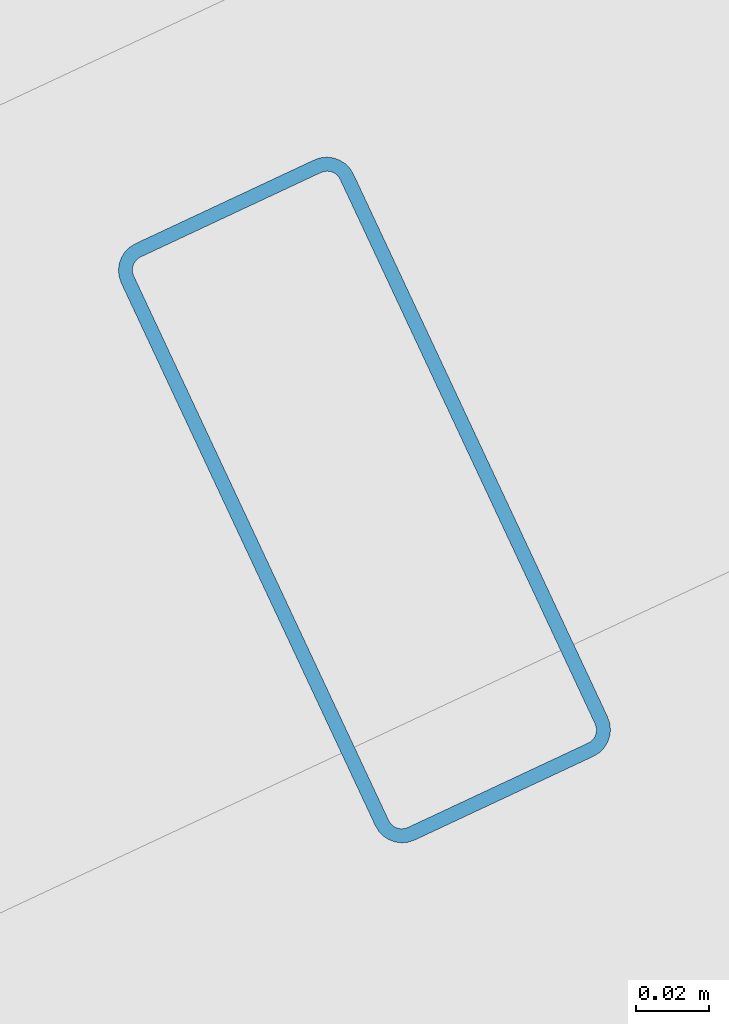
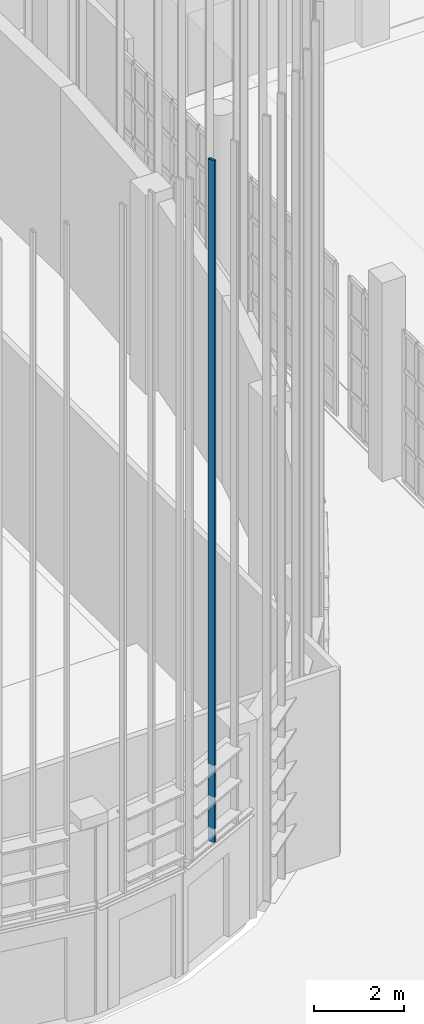
# One storey, part 148 of 372: 1 member.
"""IFC4 building model written with IfcOpenShell, lengths in metres."""

import ifcopenshell
import ifcopenshell.guid

model = None  # the IFC model being written
_history = None  # IfcOwnerHistory: only IFC2X3 demands one
_inside = {}  # id of a spatial element -> (the spatial element, [elements in it])
_under = {}  # id of a project, library or spatial element -> (it, [spatial elements below it])
_declared = {}  # id of a project -> (the project, [libraries it declares])
_typed = {}  # id of a type object -> (the type object, [elements of that type])
_made_of = {}  # id of a material, layer set ... -> (it, [elements and type objects made of it])


def new_model(schema):
    """Start an empty IFC model of exactly this schema.

    Asked for "IFC4X3", IfcOpenShell would pick the latest addendum, in which some entities
    have other attributes; the version numbers below select the first issue.
    IFC2X3 requires an IfcOwnerHistory on every rooted entity: one is made here for all.
    """
    global model, _history
    if schema == "IFC4X3":
        model = ifcopenshell.file(schema_version=(4, 3, 0, 0))
    else:
        model = ifcopenshell.file(schema=schema)
    _inside.clear()
    _under.clear()
    _declared.clear()
    _typed.clear()
    _made_of.clear()
    _history = None
    if model.schema == "IFC2X3":
        org = make("IfcOrganization", Name="unknown")
        user = make(
            "IfcPersonAndOrganization",
            ThePerson=make("IfcPerson", FamilyName="unknown"),
            TheOrganization=org,
        )
        app = make(
            "IfcApplication",
            ApplicationDeveloper=org,
            Version="unknown",
            ApplicationFullName="unknown",
            ApplicationIdentifier="unknown",
        )
        _history = make(
            "IfcOwnerHistory",
            OwningUser=user,
            OwningApplication=app,
            ChangeAction="ADDED",
            CreationDate=0,
        )
    return model


def make(cls, **values):
    """One entity of the class cls with the attributes given. An attribute that is None is left unset."""
    return model.create_entity(
        cls, **{name: value for name, value in values.items() if value is not None}
    )


def rooted(cls, **values):
    """An entity with a GlobalId (a new one), such as an element, a storey or a relation."""
    return make(cls, GlobalId=ifcopenshell.guid.new(), OwnerHistory=_history, **values)


def si_unit(unit_type, name, prefix=None):
    """IfcSIUnit, for example si_unit("LENGTHUNIT", "METRE", prefix="MILLI")."""
    return make("IfcSIUnit", UnitType=unit_type, Prefix=prefix, Name=name)


def assignment(units):
    """IfcUnitAssignment: the units of a project."""
    return None if units is None else make("IfcUnitAssignment", Units=units)


def point(xyz):
    """IfcCartesianPoint."""
    return None if xyz is None else make("IfcCartesianPoint", Coordinates=xyz)


def direction(xyz):
    """IfcDirection."""
    return None if xyz is None else make("IfcDirection", DirectionRatios=xyz)


def frame(location, z_axis=None, x_axis=None):
    """IfcAxis2Placement3D, a coordinate frame: its origin and axes. An axis left out is left unset."""
    return make(
        "IfcAxis2Placement3D",
        Location=point(location),
        Axis=direction(z_axis),
        RefDirection=direction(x_axis),
    )


def frame_2d(location, x_axis=None):
    """IfcAxis2Placement2D, a coordinate frame in the plane: its origin and x axis."""
    return make(
        "IfcAxis2Placement2D", Location=point(location), RefDirection=direction(x_axis)
    )


def origin():
    """The frame at (0, 0, 0) with its axes left unset."""
    return frame((0.0, 0.0, 0.0))


def origin_2d():
    """The frame at (0, 0) in the plane with its x axis left unset."""
    return frame_2d((0.0, 0.0))


def place(relative_to, where):
    """IfcLocalPlacement: puts the frame where relative to a parent placement (None: the world)."""
    return make(
        "IfcLocalPlacement", PlacementRelTo=relative_to, RelativePlacement=where
    )


def context(
    kind, dimensions, precision=None, world=None, true_north=None, identifier=None
):
    """IfcGeometricRepresentationContext, for example the 3D "Model" context."""
    return make(
        "IfcGeometricRepresentationContext",
        ContextIdentifier=identifier,
        ContextType=kind,
        CoordinateSpaceDimension=dimensions,
        Precision=precision,
        WorldCoordinateSystem=world,
        TrueNorth=true_north,
    )


def subcontext(parent, identifier, kind, view, scale=None):
    """IfcGeometricRepresentationSubContext, for example "Body" below "Model"."""
    return make(
        "IfcGeometricRepresentationSubContext",
        ContextIdentifier=identifier,
        ContextType=kind,
        ParentContext=parent,
        TargetScale=scale,
        TargetView=view,
    )


def project(units=None, contexts=None):
    """IfcProject with its units and contexts."""
    return rooted(
        "IfcProject",
        Name="project",
        RepresentationContexts=contexts,
        UnitsInContext=assignment(units),
    )


def spatial(cls, under=None, at=None, **own):
    """A site, building, storey or space (cls), placed at a placement, below another one or the project."""
    s = rooted(cls, ObjectPlacement=at, **own)
    if under is not None:
        _under.setdefault(under.id(), (under, []))[1].append(s)
    return s


def profile(cls, at=None, kind="AREA", **sizes):
    """A parametric profile (cls). Its sizes go by their IFC names, for example OverallWidth=200.0."""
    return make(cls, ProfileType=kind, Position=at, **sizes)


def hollow_rectangle(**sizes):
    """IfcRectangleHollowProfileDef."""
    return profile("IfcRectangleHollowProfileDef", **sizes)


def extrude(swept, where, along, depth):
    """IfcExtrudedAreaSolid: the profile swept, set in the frame where, extruded along a direction by depth."""
    return make(
        "IfcExtrudedAreaSolid",
        SweptArea=swept,
        Position=where,
        ExtrudedDirection=direction(along),
        Depth=depth,
    )


def shape(context_of_items, identifier, shape_type, items):
    """IfcShapeRepresentation: the items that make up one representation, for example the "Body"."""
    return make(
        "IfcShapeRepresentation",
        ContextOfItems=context_of_items,
        RepresentationIdentifier=identifier,
        RepresentationType=shape_type,
        Items=items,
    )


def material(Name=None, Category=None):
    """IfcMaterial."""
    return make("IfcMaterial", Name=Name, Category=Category)


def material_profile(
    of_material, cross_section, Name=None, Category=None, Priority=None
):
    """IfcMaterialProfile: a cross section and its material."""
    return make(
        "IfcMaterialProfile",
        Name=Name,
        Material=of_material,
        Profile=cross_section,
        Priority=Priority,
        Category=Category,
    )


def profile_set(profiles, Name=None, composite=None):
    """IfcMaterialProfileSet."""
    return make(
        "IfcMaterialProfileSet",
        Name=Name,
        MaterialProfiles=profiles,
        CompositeProfile=composite,
    )


def made_of(thing, what):
    """Note that an element or type object is made of a material, layer set ...; save() writes the relation."""
    if what is not None:
        _made_of.setdefault(what.id(), (what, []))[1].append(thing)
    return thing


def type_object(cls, material=None, **own):
    """A type object (cls), such as IfcWallType, which elements share."""
    return made_of(rooted(cls, **own), material)


def element(
    cls,
    number,
    at=None,
    inside=None,
    cuts=None,
    type_object=None,
    material=None,
    context=None,
    identifier="Body",
    shape_type=None,
    held_by="IfcProductDefinitionShape",
    body=None,
    shapes=None,
    **own,
):
    """One element of the class cls, such as IfcWall. Its Tag is "e" and its number.

    at: its placement. inside: the storey or other place that contains it. cuts: it is an
    opening in that element (IfcRelVoidsElement). A single representation is given by context,
    identifier, shape_type and body (its items); several are given by shapes. held_by: the class
    of the entity that holds the representations. save() writes the other relations.
    """
    e = rooted(cls, Tag="e%d" % number, ObjectPlacement=at, **own)
    if body is not None:
        shapes = [shape(context, identifier, shape_type, body)]
    if shapes is not None:
        e.Representation = make(held_by, Representations=shapes)
    if inside is not None:
        _inside.setdefault(inside.id(), (inside, []))[1].append(e)
    if cuts is not None:
        rooted(
            "IfcRelVoidsElement", RelatingBuildingElement=cuts, RelatedOpeningElement=e
        )
    if type_object is not None:
        _typed.setdefault(type_object.id(), (type_object, []))[1].append(e)
    return made_of(e, material)


def aggregate(whole, parts):
    """IfcRelAggregates: a whole, such as a stair, and the parts it consists of."""
    return rooted("IfcRelAggregates", RelatingObject=whole, RelatedObjects=parts)


def save(model, path):
    """Write the relations noted so far, then the file.

    IfcRelAggregates (storeys below a building ...), IfcRelContainedInSpatialStructure (elements
    in a storey), IfcRelDefinesByType, IfcRelAssociatesMaterial and IfcRelDeclares: one each for
    every whole, place, type object, material and project.
    """
    for whole, parts in _under.values():
        aggregate(whole, parts)
    for where, things in _inside.values():
        rooted(
            "IfcRelContainedInSpatialStructure",
            RelatedElements=things,
            RelatingStructure=where,
        )
    for kind, things in _typed.values():
        rooted("IfcRelDefinesByType", RelatedObjects=things, RelatingType=kind)
    for what, things in _made_of.values():
        rooted("IfcRelAssociatesMaterial", RelatedObjects=things, RelatingMaterial=what)
    for by, libraries in _declared.values():
        rooted("IfcRelDeclares", RelatingContext=by, RelatedDefinitions=libraries)
    model.write(path)


model = new_model("IFC4")

# Units and contexts
model_context = context("Model", 3, precision=1e-05, world=origin(), true_north=direction((0.0, 1.0)))
body_context = subcontext(model_context, "Body", "Model", "MODEL_VIEW")
ifc_project = project(units=[si_unit("LENGTHUNIT", "METRE"), si_unit("AREAUNIT", "SQUARE_METRE"), si_unit("VOLUMEUNIT", "CUBIC_METRE"), si_unit("PLANEANGLEUNIT", "RADIAN"), si_unit("MASSUNIT", "GRAM", prefix="KILO")], contexts=[model_context])

# Site, building, storey
site_placement = place(None, origin())
site = spatial("IfcSite", under=ifc_project, at=site_placement, CompositionType="ELEMENT")
building_placement = place(site_placement, origin())
building = spatial("IfcBuilding", under=site, at=building_placement, Name="Kaelora Sail Theatre", CompositionType="ELEMENT")
storey_placement = place(building_placement, origin())
storey = spatial("IfcBuildingStorey", under=building, at=storey_placement, Name="L00", CompositionType="ELEMENT", Elevation=0.0)

# Member
ifc_material = material(Name="Anodised aluminium 6063-T6", Category="aluminium")
ifc_material_profile = material_profile(ifc_material, hollow_rectangle(XDim=0.070068359375, YDim=0.179931640625, WallThickness=0.00390625, InnerFilletRadius=0.00390625, OuterFilletRadius=0.008056640625, at=origin_2d()), Name="ALU-MULL 70x180x4")
ifc_profile_set = profile_set([ifc_material_profile], Name="Anodised aluminium 6063-T6")
member_type = type_object("IfcMemberType", Name="ARC-MEM-PST-160", PredefinedType="POST", material=ifc_profile_set)
member_placement = place(storey_placement, frame((94.02392578125, 31.81591796875, 3.10009765625), z_axis=(0.0, 0.0, 1.0), x_axis=(-0.905642821984, -0.424041364714, 0.0)))
element("IfcMember", 1, at=member_placement, inside=storey, type_object=member_type, Name="Studio Theatre Sail Drum solar louvre vertical support post C9-2", PredefinedType="POST", context=body_context, shape_type="SweptSolid", body=[
    extrude(hollow_rectangle(XDim=0.070068359375, YDim=0.179931640625, WallThickness=0.00390625, InnerFilletRadius=0.00390625, OuterFilletRadius=0.008056640625, at=origin_2d()), origin(), (0.0, 0.0, 1.0), 18.5537109375),
])

save(model, "model.ifc")
